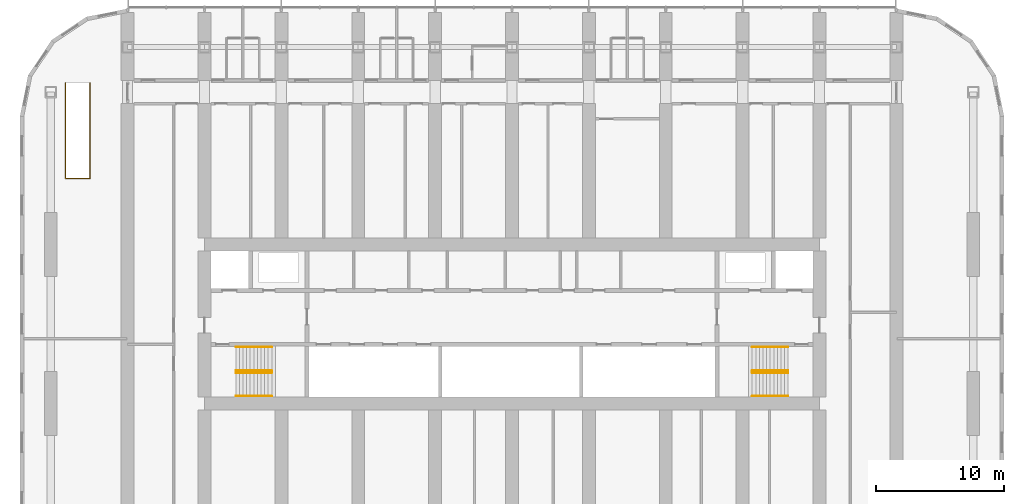
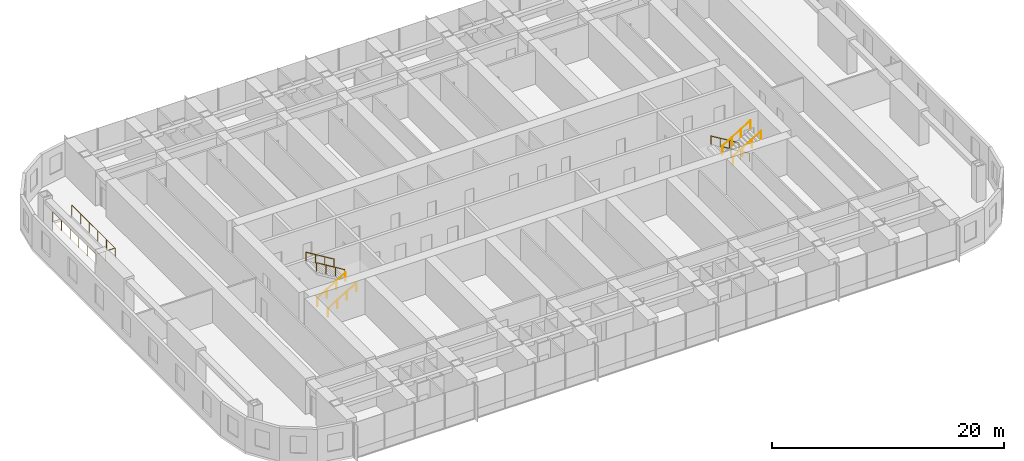
# One storey, part 22 of 22: 9 railings.
"""IFC4 building model written with IfcOpenShell, lengths in metres."""

from ifc_helpers import new_model, si_unit, direction, frame, origin, origin_2d, place, context, subcontext, project, spatial, circle, extrude, material, type_object, element, save


model = new_model("IFC4")

# Units and contexts
model_context = context("Model", 3, precision=1e-05, world=origin(), true_north=direction((0.0, 1.0)))
body_context = subcontext(model_context, "Body", "Model", "MODEL_VIEW")
ifc_project = project(units=[si_unit("LENGTHUNIT", "METRE"), si_unit("AREAUNIT", "SQUARE_METRE"), si_unit("VOLUMEUNIT", "CUBIC_METRE"), si_unit("PLANEANGLEUNIT", "RADIAN"), si_unit("MASSUNIT", "GRAM", prefix="KILO")], contexts=[model_context])

# Site, building, storey
site_placement = place(None, origin())
site = spatial("IfcSite", under=ifc_project, at=site_placement, CompositionType="ELEMENT")
building_placement = place(site_placement, origin())
building = spatial("IfcBuilding", under=site, at=building_placement, Name="Orbita Commons", CompositionType="ELEMENT")
storey_placement = place(building_placement, frame((0.0, 0.0, 57.699951171875)))
storey = spatial("IfcBuildingStorey", under=building, at=storey_placement, Name="L14", CompositionType="ELEMENT", Elevation=57.699951171875)

# Railings
ifc_material_1 = material(Name="Steel tube, painted", Category="steel")
railing_type_1 = type_object("IfcRailingType", Name="Stair handrail steel tube 900", PredefinedType="HANDRAIL", material=ifc_material_1)
for number, where, name in (
    (1, (20.449951171875, 28.18994140625, 0.17041015625), "Stair S1 handrail L14 flight 1"),
    (2, (20.449951171875, 26.360107421875, 0.17041015625), "Stair S1 handrail L14 flight 1"),
):
    element("IfcRailing", number, at=place(storey_placement, frame(where)), inside=storey, type_object=railing_type_1, Name=name, PredefinedType="HANDRAIL", context=body_context, shape_type="SweptSolid", body=[
        extrude(circle(Radius=0.02099609375, at=origin_2d()), frame((0.0, 0.0, 0.87890625), z_axis=(0.854169791009, 0.0, 0.51999420009), x_axis=(0.0, 1.0, 0.0)), (0.0, 0.0, 1.0), 3.278076171875),
        extrude(circle(Radius=0.02001953125, at=origin_2d()), origin(), (0.0, 0.0, 1.0), 0.85791015625),
        extrude(circle(Radius=0.02001953125, at=origin_2d()), frame((0.933349609375, 0.0, 0.568115234375)), (0.0, 0.0, 1.0), 0.85791015625),
        extrude(circle(Radius=0.02001953125, at=origin_2d()), frame((1.86669921875, 0.0, 1.136474609375)), (0.0, 0.0, 1.0), 0.85791015625),
        extrude(circle(Radius=0.02001953125, at=origin_2d()), frame((2.800048828125, 0.0, 1.70458984375)), (0.0, 0.0, 1.0), 0.85791015625),
    ])
for number, where, name in (
    (3, (23.25, 28.360107421875, 2.04541015625), "Stair S1 handrail L14 flight 2"),
    (4, (23.25, 30.18994140625, 2.04541015625), "Stair S1 handrail L14 flight 2"),
    (5, (63.550048828125, 28.360107421875, 0.17041015625), "Stair S2 handrail L14 flight 1"),
    (6, (63.550048828125, 30.18994140625, 0.17041015625), "Stair S2 handrail L14 flight 1"),
):
    element("IfcRailing", number, at=place(storey_placement, frame(where)), inside=storey, type_object=railing_type_1, Name=name, PredefinedType="HANDRAIL", context=body_context, shape_type="SweptSolid", body=[
        extrude(circle(Radius=0.02099609375, at=origin_2d()), frame((0.0, 0.0, 0.87890625), z_axis=(-0.854169791009, 0.0, 0.51999420009), x_axis=(0.0, -1.0, 0.0)), (0.0, 0.0, 1.0), 3.278076171875),
        extrude(circle(Radius=0.02001953125, at=origin_2d()), origin(), (0.0, 0.0, 1.0), 0.85791015625),
        extrude(circle(Radius=0.02001953125, at=origin_2d()), frame((-0.933349609375, 0.0, 0.568115234375)), (0.0, 0.0, 1.0), 0.85791015625),
        extrude(circle(Radius=0.02001953125, at=origin_2d()), frame((-1.86669921875, 0.0, 1.136474609375)), (0.0, 0.0, 1.0), 0.85791015625),
        extrude(circle(Radius=0.02001953125, at=origin_2d()), frame((-2.800048828125, 0.0, 1.70458984375)), (0.0, 0.0, 1.0), 0.85791015625),
    ])
for number, where, name in (
    (7, (60.75, 28.18994140625, 2.04541015625), "Stair S2 handrail L14 flight 2"),
    (8, (60.75, 26.360107421875, 2.04541015625), "Stair S2 handrail L14 flight 2"),
):
    element("IfcRailing", number, at=place(storey_placement, frame(where)), inside=storey, type_object=railing_type_1, Name=name, PredefinedType="HANDRAIL", context=body_context, shape_type="SweptSolid", body=[
        extrude(circle(Radius=0.02099609375, at=origin_2d()), frame((0.0, 0.0, 0.87890625), z_axis=(0.854169791009, 0.0, 0.51999420009), x_axis=(0.0, 1.0, 0.0)), (0.0, 0.0, 1.0), 3.278076171875),
        extrude(circle(Radius=0.02001953125, at=origin_2d()), origin(), (0.0, 0.0, 1.0), 0.85791015625),
        extrude(circle(Radius=0.02001953125, at=origin_2d()), frame((0.933349609375, 0.0, 0.568115234375)), (0.0, 0.0, 1.0), 0.85791015625),
        extrude(circle(Radius=0.02001953125, at=origin_2d()), frame((1.86669921875, 0.0, 1.136474609375)), (0.0, 0.0, 1.0), 0.85791015625),
        extrude(circle(Radius=0.02001953125, at=origin_2d()), frame((2.800048828125, 0.0, 1.70458984375)), (0.0, 0.0, 1.0), 0.85791015625),
    ])
ifc_material_2 = material(Name="Laminated glass on steel posts", Category="steel")
railing_type_2 = type_object("IfcRailingType", Name="Void guard, glass on steel posts 1100", PredefinedType="GUARDRAIL", material=ifc_material_2)
railing_placement = place(storey_placement, frame((7.14990234375, 50.800048828125, 0.0)))
element("IfcRailing", 9, at=railing_placement, inside=storey, type_object=railing_type_2, Name="Void guard L14", PredefinedType="GUARDRAIL", context=body_context, shape_type="SweptSolid", body=[
    extrude(circle(Radius=0.02490234375, at=origin_2d()), frame((0.0, 0.0, 1.0751953125), z_axis=(0.0, -1.0, 0.0), x_axis=(1.0, 0.0, 0.0)), (0.0, 0.0, 1.0), 7.449951171875),
    extrude(circle(Radius=0.02490234375, at=origin_2d()), frame((0.0, -7.449951171875, 1.0751953125), z_axis=(1.0, 0.0, 0.0), x_axis=(0.0, 1.0, 0.0)), (0.0, 0.0, 1.0), 1.900146484375),
    extrude(circle(Radius=0.02490234375, at=origin_2d()), frame((1.900146484375, -7.449951171875, 1.0751953125), z_axis=(0.0, 1.0, 0.0), x_axis=(-1.0, 0.0, 0.0)), (0.0, 0.0, 1.0), 7.449951171875),
    extrude(circle(Radius=0.02490234375, at=origin_2d()), origin(), (0.0, 0.0, 1.0), 1.050048828125),
    extrude(circle(Radius=0.02490234375, at=origin_2d()), frame((0.0, -1.489990234375, 0.0)), (0.0, 0.0, 1.0), 1.050048828125),
    extrude(circle(Radius=0.02490234375, at=origin_2d()), frame((0.0, -2.97998046875, 0.0)), (0.0, 0.0, 1.0), 1.050048828125),
    extrude(circle(Radius=0.02490234375, at=origin_2d()), frame((0.0, -4.469970703125, 0.0)), (0.0, 0.0, 1.0), 1.050048828125),
    extrude(circle(Radius=0.02490234375, at=origin_2d()), frame((0.0, -5.9599609375, 0.0)), (0.0, 0.0, 1.0), 1.050048828125),
    extrude(circle(Radius=0.02490234375, at=origin_2d()), frame((0.0, -7.449951171875, 0.0)), (0.0, 0.0, 1.0), 1.050048828125),
    extrude(circle(Radius=0.02490234375, at=origin_2d()), frame((0.9501953125, -7.449951171875, 0.0)), (0.0, 0.0, 1.0), 1.050048828125),
    extrude(circle(Radius=0.02490234375, at=origin_2d()), frame((1.900146484375, -7.449951171875, 0.0)), (0.0, 0.0, 1.0), 1.050048828125),
    extrude(circle(Radius=0.02490234375, at=origin_2d()), frame((1.900146484375, -5.9599609375, 0.0)), (0.0, 0.0, 1.0), 1.050048828125),
    extrude(circle(Radius=0.02490234375, at=origin_2d()), frame((1.900146484375, -4.469970703125, 0.0)), (0.0, 0.0, 1.0), 1.050048828125),
    extrude(circle(Radius=0.02490234375, at=origin_2d()), frame((1.900146484375, -2.97998046875, 0.0)), (0.0, 0.0, 1.0), 1.050048828125),
    extrude(circle(Radius=0.02490234375, at=origin_2d()), frame((1.900146484375, -1.489990234375, 0.0)), (0.0, 0.0, 1.0), 1.050048828125),
    extrude(circle(Radius=0.02490234375, at=origin_2d()), frame((1.900146484375, 0.0, 0.0)), (0.0, 0.0, 1.0), 1.050048828125),
])

save(model, "model.ifc")
